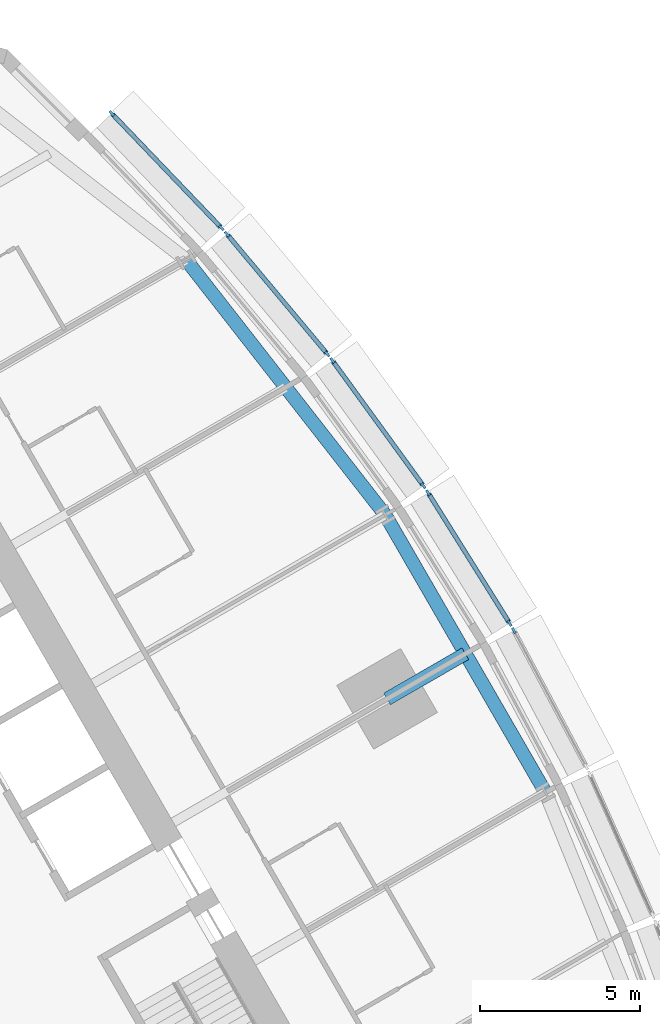
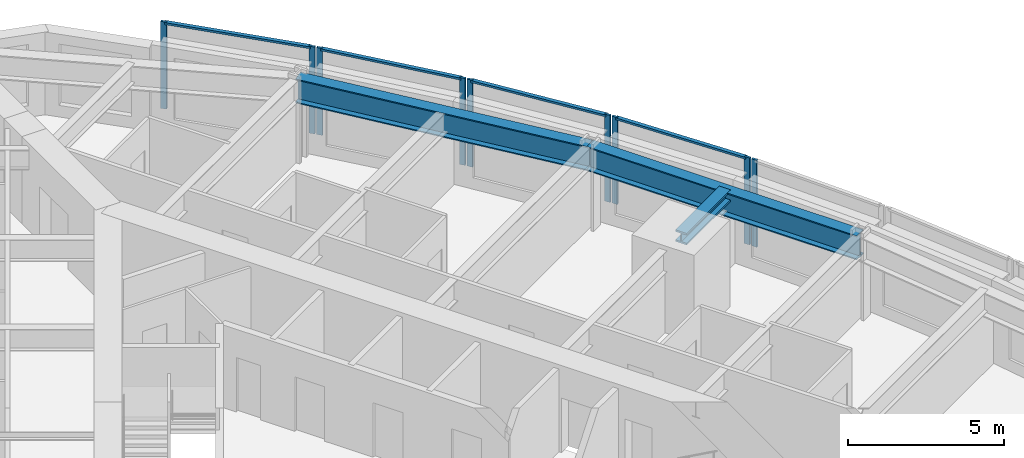
# One storey, part 5 of 14: 13 members, 3 beams, 5 elements without a shape of their own.
"""IFC4 building model written with IfcOpenShell, lengths in metres."""

from ifc_helpers import new_model, si_unit, direction, frame, origin, origin_2d, place, context, subcontext, project, spatial, rectangle, i_section, extrude, material, material_profile, profile_set, type_object, element, aggregate, save


model = new_model("IFC4")

# Units and contexts
model_context = context("Model", 3, precision=1e-05, world=origin(), true_north=direction((0.0, 1.0)))
body_context = subcontext(model_context, "Body", "Model", "MODEL_VIEW")
ifc_project = project(units=[si_unit("LENGTHUNIT", "METRE"), si_unit("AREAUNIT", "SQUARE_METRE"), si_unit("VOLUMEUNIT", "CUBIC_METRE"), si_unit("PLANEANGLEUNIT", "RADIAN"), si_unit("MASSUNIT", "GRAM", prefix="KILO")], contexts=[model_context])

# Site, building, storey
site_placement = place(None, origin())
site = spatial("IfcSite", under=ifc_project, at=site_placement, CompositionType="ELEMENT")
building_placement = place(site_placement, origin())
building = spatial("IfcBuilding", under=site, at=building_placement, Name="Trikona Tower", CompositionType="ELEMENT")
storey_placement = place(building_placement, frame((0.0, 0.0, 148.699951171875)))
storey = spatial("IfcBuildingStorey", under=building, at=storey_placement, Name="L39", CompositionType="ELEMENT", Elevation=148.699951171875)

# Curtain wall, member
ifc_material_1 = material(Name="Aluminium curtain wall system", Category="aluminium")
curtain_wall_type = type_object("IfcCurtainWallType", Name="Curtain wall DS2", PredefinedType="NOTDEFINED", material=ifc_material_1)
curtain_wall_1_placement = place(storey_placement, origin())
curtain_wall_1 = element("IfcCurtainWall", 1, at=curtain_wall_1_placement, inside=storey, type_object=curtain_wall_type, Name="Curtain wall DS2 L39", PredefinedType="NOTDEFINED")
ifc_material_2 = material(Name="Aluminium mullion, pale anodised", Category="aluminium")
ifc_material_profile_1 = material_profile(ifc_material_2, rectangle(XDim=0.080078125, YDim=0.199951171875, at=origin_2d()), Name="MUL-DS2")
ifc_profile_set_1 = profile_set([ifc_material_profile_1], Name="Aluminium mullion, pale anodised")
member_type_1 = type_object("IfcMemberType", Name="Mullion DS2 80x200", PredefinedType="MULLION", material=ifc_profile_set_1)
member_1_placement = place(storey_placement, frame((19.2666015625, 10.9716796875, 0.0), z_axis=(0.0, 0.0, 1.0), x_axis=(-0.882996107343, -0.469380308937, 0.0)))
member_1 = element("IfcMember", 2, at=member_1_placement, type_object=member_type_1, Name="CW-DS2 mullion 2", PredefinedType="MULLION", context=body_context, shape_type="SweptSolid", body=[
    extrude(rectangle(XDim=0.080078125, YDim=0.199951171875, at=origin_2d()), origin(), (0.0, 0.0, 1.0), 3.400146484375),
])
aggregate(curtain_wall_1, [member_1])

# Curtain wall, members
curtain_wall_2_placement = place(storey_placement, origin())
curtain_wall_2 = element("IfcCurtainWall", 3, at=curtain_wall_2_placement, inside=storey, type_object=curtain_wall_type, Name="Curtain wall DS2 L39", PredefinedType="NOTDEFINED")
member_2_placement = place(storey_placement, frame((19.135009765625, 11.199462890625, 0.0), z_axis=(0.0, 0.0, 1.0), x_axis=(-0.847998304006, -0.529998940002, 0.0)))
member_2 = element("IfcMember", 4, at=member_2_placement, type_object=member_type_1, Name="CW-DS2 mullion 1", PredefinedType="MULLION", context=body_context, shape_type="SweptSolid", body=[
    extrude(rectangle(XDim=0.080078125, YDim=0.199951171875, at=origin_2d()), origin(), (0.0, 0.0, 1.0), 3.400146484375),
])
member_3_placement = place(storey_placement, frame((16.589599609375, 15.2724609375, 0.0), z_axis=(0.0, 0.0, 1.0), x_axis=(-0.847998304006, -0.529998940002, 0.0)))
member_3 = element("IfcMember", 5, at=member_3_placement, type_object=member_type_1, Name="CW-DS2 mullion 2", PredefinedType="MULLION", context=body_context, shape_type="SweptSolid", body=[
    extrude(rectangle(XDim=0.080078125, YDim=0.199951171875, at=origin_2d()), origin(), (0.0, 0.0, 1.0), 3.400146484375),
])

curtain_wall_3_placement = place(storey_placement, origin())
curtain_wall_3 = element("IfcCurtainWall", 6, at=curtain_wall_3_placement, inside=storey, type_object=curtain_wall_type, Name="Curtain wall DS2 L39", PredefinedType="NOTDEFINED")
member_4_placement = place(storey_placement, frame((16.442626953125, 15.489990234375, 0.0), z_axis=(0.0, 0.0, 1.0), x_axis=(-0.80908576332, -0.587690588313, 0.0)))
member_4 = element("IfcMember", 7, at=member_4_placement, type_object=member_type_1, Name="CW-DS2 mullion 1", PredefinedType="MULLION", context=body_context, shape_type="SweptSolid", body=[
    extrude(rectangle(XDim=0.080078125, YDim=0.199951171875, at=origin_2d()), origin(), (0.0, 0.0, 1.0), 3.400146484375),
])
member_5_placement = place(storey_placement, frame((13.605712890625, 19.39599609375, 0.0), z_axis=(0.0, 0.0, 1.0), x_axis=(-0.80908576332, -0.587690588313, 0.0)))
member_5 = element("IfcMember", 8, at=member_5_placement, type_object=member_type_1, Name="CW-DS2 mullion 2", PredefinedType="MULLION", context=body_context, shape_type="SweptSolid", body=[
    extrude(rectangle(XDim=0.080078125, YDim=0.199951171875, at=origin_2d()), origin(), (0.0, 0.0, 1.0), 3.400146484375),
])

curtain_wall_4_placement = place(storey_placement, origin())
curtain_wall_4 = element("IfcCurtainWall", 9, at=curtain_wall_4_placement, inside=storey, type_object=curtain_wall_type, Name="Curtain wall DS2 L39", PredefinedType="NOTDEFINED")
member_6_placement = place(storey_placement, frame((13.44482421875, 19.602294921875, 0.0), z_axis=(0.0, 0.0, 1.0), x_axis=(-0.766866678271, -0.641806433248, 0.0)))
member_6 = element("IfcMember", 10, at=member_6_placement, type_object=member_type_1, Name="CW-DS2 mullion 1", PredefinedType="MULLION", context=body_context, shape_type="SweptSolid", body=[
    extrude(rectangle(XDim=0.080078125, YDim=0.199951171875, at=origin_2d()), origin(), (0.0, 0.0, 1.0), 3.400146484375),
])
member_7_placement = place(storey_placement, frame((10.315185546875, 23.34130859375, 0.0), z_axis=(0.0, 0.0, 1.0), x_axis=(-0.766866678271, -0.641806433248, 0.0)))
member_7 = element("IfcMember", 11, at=member_7_placement, type_object=member_type_1, Name="CW-DS2 mullion 2", PredefinedType="MULLION", context=body_context, shape_type="SweptSolid", body=[
    extrude(rectangle(XDim=0.080078125, YDim=0.199951171875, at=origin_2d()), origin(), (0.0, 0.0, 1.0), 3.400146484375),
])

curtain_wall_5_placement = place(storey_placement, origin())
curtain_wall_5 = element("IfcCurtainWall", 12, at=curtain_wall_5_placement, inside=storey, type_object=curtain_wall_type, Name="Curtain wall DS2 L39", PredefinedType="NOTDEFINED")
member_8_placement = place(storey_placement, frame((10.1416015625, 23.535400390625, 0.0), z_axis=(0.0, 0.0, 1.0), x_axis=(-0.722158330767, -0.691727797117, 0.0)))
member_8 = element("IfcMember", 13, at=member_8_placement, type_object=member_type_1, Name="CW-DS2 mullion 1", PredefinedType="MULLION", context=body_context, shape_type="SweptSolid", body=[
    extrude(rectangle(XDim=0.080078125, YDim=0.199951171875, at=origin_2d()), origin(), (0.0, 0.0, 1.0), 3.400146484375),
])
member_9_placement = place(storey_placement, frame((6.718994140625, 27.1083984375, 0.0), z_axis=(0.0, 0.0, 1.0), x_axis=(-0.722158330767, -0.691727797117, 0.0)))
member_9 = element("IfcMember", 14, at=member_9_placement, type_object=member_type_1, Name="CW-DS2 mullion 2", PredefinedType="MULLION", context=body_context, shape_type="SweptSolid", body=[
    extrude(rectangle(XDim=0.080078125, YDim=0.199951171875, at=origin_2d()), origin(), (0.0, 0.0, 1.0), 3.400146484375),
])

# Beams
ifc_material_3 = material(Name="Steel ASTM A992 Grade 50", Category="steel")
ifc_material_profile_2 = material_profile(ifc_material_3, i_section(OverallWidth=0.419189453125, OverallDepth=0.45458984375, WebThickness=0.042236328125, FlangeThickness=0.067626953125, at=origin_2d()), Name="W14X370")
ifc_profile_set_2 = profile_set([ifc_material_profile_2], Name="Steel ASTM A992 Grade 50")
beam_type_1 = type_object("IfcBeamType", Name="Steel beam W14x370 (apex bracket)", PredefinedType="BEAM", material=ifc_profile_set_2)
beam_1_placement = place(storey_placement, frame((15.311767578125, 8.84033203125, 3.0078125), z_axis=(0.86605005072, 0.499957307824, 0.0), x_axis=(-0.499957307824, 0.86605005072, 0.0)))
element("IfcBeam", 15, at=beam_1_placement, inside=storey, type_object=beam_type_1, Name="Cantilever bracket L40 F2", PredefinedType="BEAM", context=body_context, shape_type="SweptSolid", body=[
    extrude(i_section(OverallWidth=0.419189453125, OverallDepth=0.45458984375, WebThickness=0.042236328125, FlangeThickness=0.067626953125, at=origin_2d()), origin(), (0.0, 0.0, 1.0), 2.819580078125),
])
ifc_material_4 = material(Name="Steel ASTM A992 Grade 50", Category="steel")
ifc_material_profile_3 = material_profile(ifc_material_4, i_section(OverallWidth=0.424072265625, OverallDepth=0.947509765625, WebThickness=0.02392578125, FlangeThickness=0.042724609375, at=origin_2d()), Name="W36X302")
ifc_profile_set_3 = profile_set([ifc_material_profile_3], Name="Steel ASTM A992 Grade 50")
beam_type_2 = type_object("IfcBeamType", Name="Steel beam W36x302 (spandrel)", PredefinedType="SPANDREL", material=ifc_profile_set_3)
beam_2_placement = place(storey_placement, frame((20.253662109375, 5.919921875, 2.76123046875), z_axis=(-0.500004234368, 0.866022959057, 0.0), x_axis=(-0.866022959057, -0.500004234368, 0.0)))
element("IfcBeam", 16, at=beam_2_placement, inside=storey, type_object=beam_type_2, Name="Spandrel beam L40 F2-3", PredefinedType="SPANDREL", context=body_context, shape_type="SweptSolid", body=[
    extrude(i_section(OverallWidth=0.424072265625, OverallDepth=0.947509765625, WebThickness=0.02392578125, FlangeThickness=0.042724609375, at=origin_2d()), origin(), (0.0, 0.0, 1.0), 10.0),
])
beam_3_placement = place(storey_placement, frame((15.253662109375, 14.580078125, 2.76123046875), z_axis=(-0.615232009054, 0.788346101046, 0.0), x_axis=(-0.788346101046, -0.615232009054, 0.0)))
element("IfcBeam", 17, at=beam_3_placement, inside=storey, type_object=beam_type_2, Name="Spandrel beam L40 F2-4", PredefinedType="SPANDREL", context=body_context, shape_type="SweptSolid", body=[
    extrude(i_section(OverallWidth=0.424072265625, OverallDepth=0.947509765625, WebThickness=0.02392578125, FlangeThickness=0.042724609375, at=origin_2d()), origin(), (0.0, 0.0, 1.0), 10.09765625),
])

# Member
ifc_material_5 = material(Name="Aluminium transom, pale anodised", Category="aluminium")
ifc_material_profile_4 = material_profile(ifc_material_5, rectangle(XDim=0.139892578125, YDim=0.080078125, at=origin_2d()), Name="TRN-DS2")
ifc_profile_set_4 = profile_set([ifc_material_profile_4], Name="Aluminium transom, pale anodised")
member_type_2 = type_object("IfcMemberType", Name="Transom DS2 80x140", PredefinedType="USERDEFINED", material=ifc_profile_set_4)
member_10_placement = place(storey_placement, frame((19.114013671875, 11.2333984375, 3.360107421875), z_axis=(-0.530031463794, 0.847977975769, 0.0), x_axis=(-0.847977975769, -0.530031463794, 0.0)))
member_10 = element("IfcMember", 18, at=member_10_placement, type_object=member_type_2, Name="CW-DS2 transom 1.1", ObjectType="TRANSOM", PredefinedType="USERDEFINED", context=body_context, shape_type="SweptSolid", body=[
    extrude(rectangle(XDim=0.139892578125, YDim=0.080078125, at=origin_2d()), origin(), (0.0, 0.0, 1.0), 4.72314453125),
])

aggregate(curtain_wall_2, [member_2, member_3, member_10])

member_11_placement = place(storey_placement, frame((16.419189453125, 15.5224609375, 3.360107421875), z_axis=(-0.587694585883, 0.809082859616, 0.0), x_axis=(-0.809082859616, -0.587694585883, 0.0)))
member_11 = element("IfcMember", 19, at=member_11_placement, type_object=member_type_2, Name="CW-DS2 transom 1.1", ObjectType="TRANSOM", PredefinedType="USERDEFINED", context=body_context, shape_type="SweptSolid", body=[
    extrude(rectangle(XDim=0.139892578125, YDim=0.080078125, at=origin_2d()), origin(), (0.0, 0.0, 1.0), 4.747314453125),
])

aggregate(curtain_wall_3, [member_4, member_5, member_11])

member_12_placement = place(storey_placement, frame((13.4189453125, 19.6328125, 3.360107421875), z_axis=(-0.641770294892, 0.766896921753, 0.0), x_axis=(-0.766896921753, -0.641770294892, 0.0)))
member_12 = element("IfcMember", 20, at=member_12_placement, type_object=member_type_2, Name="CW-DS2 transom 1.1", ObjectType="TRANSOM", PredefinedType="USERDEFINED", context=body_context, shape_type="SweptSolid", body=[
    extrude(rectangle(XDim=0.139892578125, YDim=0.080078125, at=origin_2d()), origin(), (0.0, 0.0, 1.0), 4.7958984375),
])

aggregate(curtain_wall_4, [member_6, member_7, member_12])

member_13_placement = place(storey_placement, frame((10.114013671875, 23.564208984375, 3.360107421875), z_axis=(-0.691721246785, 0.722164605022, 0.0), x_axis=(-0.722164605022, -0.691721246785, 0.0)))
member_13 = element("IfcMember", 21, at=member_13_placement, type_object=member_type_2, Name="CW-DS2 transom 1.1", ObjectType="TRANSOM", PredefinedType="USERDEFINED", context=body_context, shape_type="SweptSolid", body=[
    extrude(rectangle(XDim=0.139892578125, YDim=0.080078125, at=origin_2d()), origin(), (0.0, 0.0, 1.0), 4.867919921875),
])

aggregate(curtain_wall_5, [member_8, member_9, member_13])

save(model, "model.ifc")
